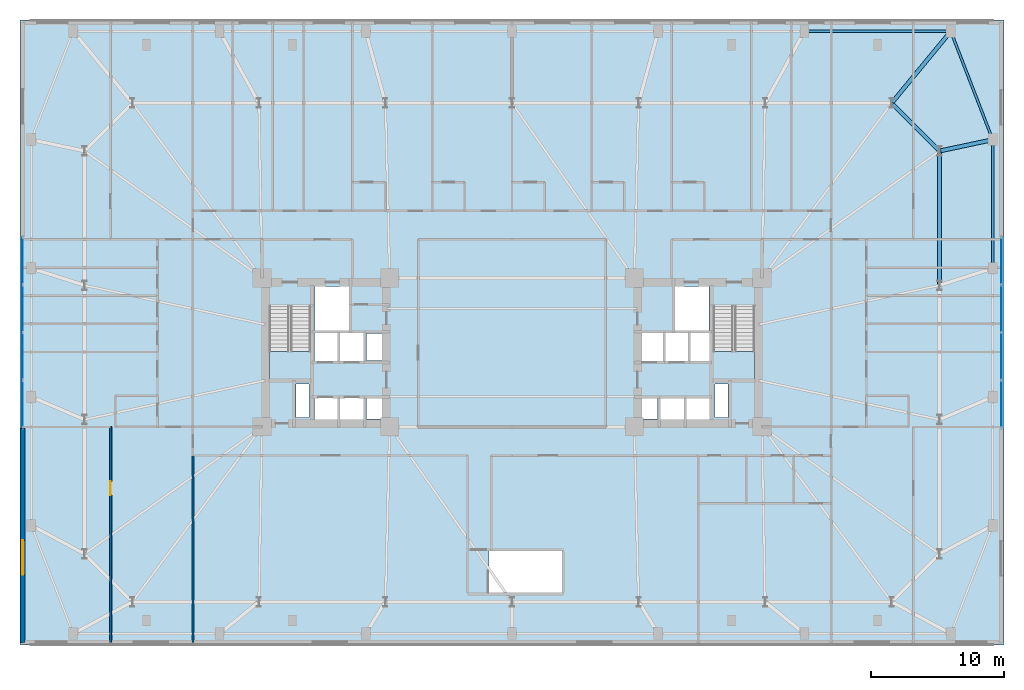
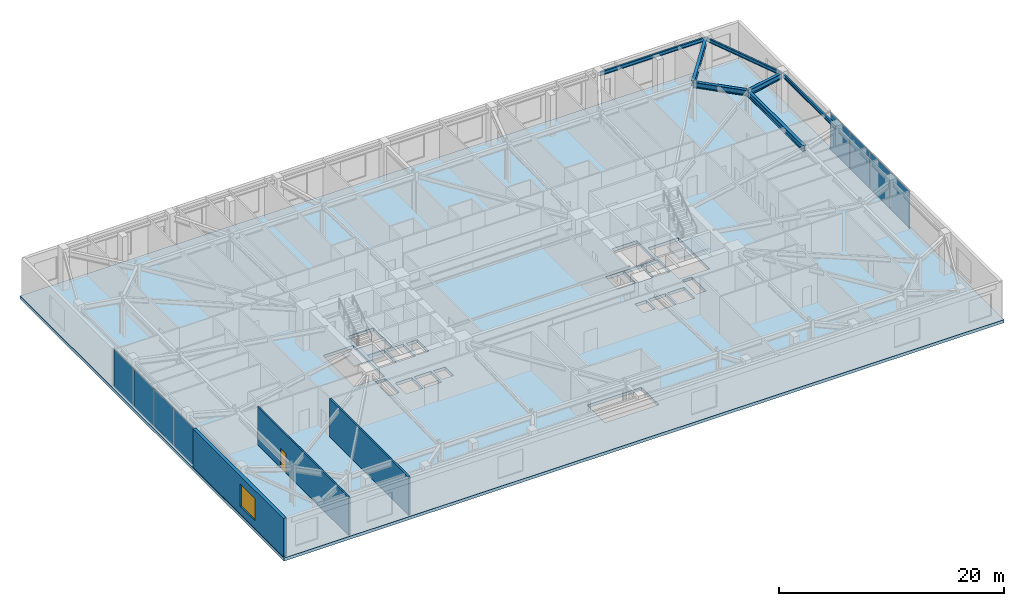
# One storey, part 10 of 21: 8 plates, 7 beams, 3 slabs, 3 walls, 1 door, 1 window, 2 openings, 4 elements without a shape of their own.
"""IFC4 building model written with IfcOpenShell, lengths in metres."""

from ifc_helpers import new_model, si_unit, direction, frame, frame_2d, origin, origin_2d, place, context, subcontext, project, spatial, polyline, rectangle, i_section, outline, extrude, material, layer, layer_set, material_profile, profile_set, type_object, element, fill, aggregate, save


model = new_model("IFC4")

# Units and contexts
model_context = context("Model", 3, precision=1e-05, world=origin(), true_north=direction((0.0, 1.0)))
body_context = subcontext(model_context, "Body", "Model", "MODEL_VIEW")
ifc_project = project(units=[si_unit("LENGTHUNIT", "METRE"), si_unit("AREAUNIT", "SQUARE_METRE"), si_unit("VOLUMEUNIT", "CUBIC_METRE"), si_unit("PLANEANGLEUNIT", "RADIAN"), si_unit("MASSUNIT", "GRAM", prefix="KILO")], contexts=[model_context])

# Site, building, storey
site_placement = place(None, origin())
site = spatial("IfcSite", under=ifc_project, at=site_placement, CompositionType="ELEMENT")
building_placement = place(site_placement, origin())
building = spatial("IfcBuilding", under=site, at=building_placement, Name="Qobustan Lattice House", CompositionType="ELEMENT")
storey_placement = place(building_placement, frame((0.0, 0.0, 22.5)))
storey = spatial("IfcBuildingStorey", under=building, at=storey_placement, Name="L05", CompositionType="ELEMENT", Elevation=22.5)

# Beams
ifc_material_1 = material(Name="Steel S355", Category="steel")
ifc_material_profile_1 = material_profile(ifc_material_1, i_section(OverallWidth=0.300048828125, OverallDepth=0.60009765625, WebThickness=0.015380859375, FlangeThickness=0.030029296875, FilletRadius=0.027099609375, at=origin_2d()), Name="HEB600")
ifc_profile_set_1 = profile_set([ifc_material_profile_1], Name="Steel S355")
beam_type_1 = type_object("IfcBeamType", Name="BM-POD-HEB600", PredefinedType="USERDEFINED", material=ifc_profile_set_1)
beam_1_placement = place(storey_placement, frame((32.14990234375, 5.14990234375, 3.860107421875), z_axis=(0.0, 1.0, 0.0), x_axis=(-1.0, 0.0, 0.0)))
element("IfcBeam", 1, at=beam_1_placement, inside=storey, type_object=beam_type_1, Name="L05 tower base ring girder E3-E4", ObjectType="GIRDER", PredefinedType="USERDEFINED", context=body_context, shape_type="SweptSolid", body=[
    extrude(i_section(OverallWidth=0.300048828125, OverallDepth=0.60009765625, WebThickness=0.015380859375, FlangeThickness=0.030029296875, FilletRadius=0.027099609375, at=origin_2d()), origin(), (0.0, 0.0, 1.0), 9.900146484375),
])
beam_2_placement = place(storey_placement, frame((32.079345703125, 15.220703125, 3.860107421875), z_axis=(-0.70713173775, 0.707081823743, 0.0), x_axis=(-0.707081823743, -0.70713173775, 0.0)))
element("IfcBeam", 2, at=beam_2_placement, inside=storey, type_object=beam_type_1, Name="L05 tower base ring girder E4-N1", ObjectType="GIRDER", PredefinedType="USERDEFINED", context=body_context, shape_type="SweptSolid", body=[
    extrude(i_section(OverallWidth=0.300048828125, OverallDepth=0.60009765625, WebThickness=0.015380859375, FlangeThickness=0.030029296875, FilletRadius=0.027099609375, at=origin_2d()), origin(), (0.0, 0.0, 1.0), 4.89111328125),
])
beam_3_placement = place(storey_placement, frame((32.923583984375, 24.057373046875, 3.860107421875), z_axis=(-0.635954703728, -0.771726385973, 0.0), x_axis=(0.771726385973, -0.635954703728, 0.0)))
element("IfcBeam", 3, at=beam_3_placement, inside=storey, type_object=beam_type_1, Name="L05 podium radial girder PN7", ObjectType="GIRDER", PredefinedType="USERDEFINED", context=body_context, shape_type="SweptSolid", body=[
    extrude(i_section(OverallWidth=0.300048828125, OverallDepth=0.60009765625, WebThickness=0.015380859375, FlangeThickness=0.030029296875, FilletRadius=0.027099609375, at=origin_2d()), origin(), (0.0, 0.0, 1.0), 6.77734375),
])
beam_4_placement = place(storey_placement, frame((36.03271484375, 15.97509765625, 3.860107421875), z_axis=(-0.978163821655, -0.207835362738, 0.0), x_axis=(0.207835362738, -0.978163821655, 0.0)))
element("IfcBeam", 4, at=beam_4_placement, inside=storey, type_object=beam_type_1, Name="L05 podium radial girder PE4", ObjectType="GIRDER", PredefinedType="USERDEFINED", context=body_context, shape_type="SweptSolid", body=[
    extrude(i_section(OverallWidth=0.300048828125, OverallDepth=0.60009765625, WebThickness=0.015380859375, FlangeThickness=0.030029296875, FilletRadius=0.027099609375, at=origin_2d()), origin(), (0.0, 0.0, 1.0), 3.869384765625),
])
ifc_material_2 = material(Name="Steel S355", Category="steel")
ifc_material_profile_2 = material_profile(ifc_material_2, i_section(OverallWidth=0.179931640625, OverallDepth=0.39990234375, WebThickness=0.008544921875, FlangeThickness=0.013427734375, FilletRadius=0.02099609375, at=origin_2d()), Name="IPE400")
ifc_profile_set_2 = profile_set([ifc_material_profile_2], Name="Steel S355")
beam_type_2 = type_object("IfcBeamType", Name="BM-SPD-IPE400", PredefinedType="SPANDREL", material=ifc_profile_set_2)
beam_5_placement = place(storey_placement, frame((22.1201171875, 24.14990234375, 3.9599609375), z_axis=(1.0, 0.0, 0.0), x_axis=(0.0, 1.0, 0.0)))
element("IfcBeam", 5, at=beam_5_placement, inside=storey, type_object=beam_type_2, Name="L05 podium spandrel PN6-PN7", PredefinedType="SPANDREL", context=body_context, shape_type="SweptSolid", body=[
    extrude(i_section(OverallWidth=0.179931640625, OverallDepth=0.39990234375, WebThickness=0.008544921875, FlangeThickness=0.013427734375, FilletRadius=0.02099609375, at=origin_2d()), origin(), (0.0, 0.0, 1.0), 10.759765625),
])
beam_6_placement = place(storey_placement, frame((36.14990234375, 6.453369140625, 3.9599609375), z_axis=(0.0, 1.0, 0.0), x_axis=(-1.0, 0.0, 0.0)))
element("IfcBeam", 6, at=beam_6_placement, inside=storey, type_object=beam_type_2, Name="L05 podium spandrel PE3-PE4", PredefinedType="SPANDREL", context=body_context, shape_type="SweptSolid", body=[
    extrude(i_section(OverallWidth=0.179931640625, OverallDepth=0.39990234375, WebThickness=0.008544921875, FlangeThickness=0.013427734375, FilletRadius=0.02099609375, at=origin_2d()), origin(), (0.0, 0.0, 1.0), 9.4267578125),
])
beam_7_placement = place(storey_placement, frame((33.043212890625, 24.0380859375, 3.9599609375), z_axis=(0.360516886299, -0.932752686779, 0.0), x_axis=(0.932752686779, 0.360516886299, 0.0)))
element("IfcBeam", 7, at=beam_7_placement, inside=storey, type_object=beam_type_2, Name="L05 podium corner tie PN7-PE4", PredefinedType="SPANDREL", context=body_context, shape_type="SweptSolid", body=[
    extrude(i_section(OverallWidth=0.179931640625, OverallDepth=0.39990234375, WebThickness=0.008544921875, FlangeThickness=0.013427734375, FilletRadius=0.02099609375, at=origin_2d()), origin(), (0.0, 0.0, 1.0), 8.49755859375),
])

# Curtain wall, plates
ifc_material_3 = material(Name="Anodised aluminium and low-E glazing", Category="aluminium")
ifc_layer_1 = layer(ifc_material_3, 0.219970703125)
ifc_layer_set_1 = layer_set([ifc_layer_1], Name="Anodised aluminium and low-E glazing")
curtain_wall_type = type_object("IfcCurtainWallType", Name="CW-POD-01", PredefinedType="USERDEFINED", material=ifc_layer_set_1)
curtain_wall_1_placement = place(storey_placement, origin())
curtain_wall_1 = element("IfcCurtainWall", 8, at=curtain_wall_1_placement, inside=storey, type_object=curtain_wall_type, Name="L05 W podium colonnade curtain wall", ObjectType="CURTAIN WALL", PredefinedType="USERDEFINED")
ifc_material_4 = material(Name="Clear low-E laminated glass", Category="glass")
ifc_layer_2 = layer(ifc_material_4, 0.031982421875)
ifc_layer_set_2 = layer_set([ifc_layer_2], Name="Clear low-E laminated glass")
plate_type = type_object("IfcPlateType", Name="CWP-VISION-32", PredefinedType="CURTAIN_PANEL", material=ifc_layer_set_2)
plate_1_placement = place(storey_placement, frame((-36.800048828125, -3.8798828125, 0.06494140625), z_axis=(0.0, 0.0, 1.0), x_axis=(0.0, 1.0, 0.0)))
plate_1 = element("IfcPlate", 9, at=plate_1_placement, type_object=plate_type, Name="CW-P1 panel 1.1", PredefinedType="CURTAIN_PANEL", context=body_context, shape_type="SweptSolid", body=[
    extrude(rectangle(XDim=3.47998046875, YDim=0.031982421875, at=origin_2d()), origin(), (0.0, 0.0, 1.0), 4.030029296875),
])
plate_2_placement = place(storey_placement, frame((-36.800048828125, -0.300048828125, 0.06494140625), z_axis=(0.0, 0.0, 1.0), x_axis=(0.0, 1.0, 0.0)))
plate_2 = element("IfcPlate", 10, at=plate_2_placement, type_object=plate_type, Name="CW-P1 panel 2.1", PredefinedType="CURTAIN_PANEL", context=body_context, shape_type="SweptSolid", body=[
    extrude(rectangle(XDim=3.52001953125, YDim=0.031982421875, at=origin_2d()), origin(), (0.0, 0.0, 1.0), 4.030029296875),
])
plate_3_placement = place(storey_placement, frame((-36.800048828125, 3.300048828125, 0.06494140625), z_axis=(0.0, 0.0, 1.0), x_axis=(0.0, 1.0, 0.0)))
plate_3 = element("IfcPlate", 11, at=plate_3_placement, type_object=plate_type, Name="CW-P1 panel 3.1", PredefinedType="CURTAIN_PANEL", context=body_context, shape_type="SweptSolid", body=[
    extrude(rectangle(XDim=3.52001953125, YDim=0.031982421875, at=origin_2d()), origin(), (0.0, 0.0, 1.0), 4.030029296875),
])
plate_4_placement = place(storey_placement, frame((-36.800048828125, 6.8798828125, 0.06494140625), z_axis=(0.0, 0.0, 1.0), x_axis=(0.0, 1.0, 0.0)))
plate_4 = element("IfcPlate", 12, at=plate_4_placement, type_object=plate_type, Name="CW-P1 panel 4.1", PredefinedType="CURTAIN_PANEL", context=body_context, shape_type="SweptSolid", body=[
    extrude(rectangle(XDim=3.47998046875, YDim=0.031982421875, at=origin_2d()), origin(), (0.0, 0.0, 1.0), 4.030029296875),
])
aggregate(curtain_wall_1, [plate_1, plate_2, plate_3, plate_4])

curtain_wall_2_placement = place(storey_placement, origin())
curtain_wall_2 = element("IfcCurtainWall", 13, at=curtain_wall_2_placement, inside=storey, type_object=curtain_wall_type, Name="L05 E podium colonnade curtain wall", ObjectType="CURTAIN WALL", PredefinedType="USERDEFINED")
plate_5_placement = place(storey_placement, frame((36.800048828125, 6.8798828125, 0.06494140625), z_axis=(0.0, 0.0, 1.0), x_axis=(0.0, -1.0, 0.0)))
plate_5 = element("IfcPlate", 14, at=plate_5_placement, type_object=plate_type, Name="CW-P1 panel 1.1", PredefinedType="CURTAIN_PANEL", context=body_context, shape_type="SweptSolid", body=[
    extrude(rectangle(XDim=3.47998046875, YDim=0.031982421875, at=origin_2d()), origin(), (0.0, 0.0, 1.0), 4.030029296875),
])
plate_6_placement = place(storey_placement, frame((36.800048828125, 3.300048828125, 0.06494140625), z_axis=(0.0, 0.0, 1.0), x_axis=(0.0, -1.0, 0.0)))
plate_6 = element("IfcPlate", 15, at=plate_6_placement, type_object=plate_type, Name="CW-P1 panel 2.1", PredefinedType="CURTAIN_PANEL", context=body_context, shape_type="SweptSolid", body=[
    extrude(rectangle(XDim=3.52001953125, YDim=0.031982421875, at=origin_2d()), origin(), (0.0, 0.0, 1.0), 4.030029296875),
])
plate_7_placement = place(storey_placement, frame((36.800048828125, -0.300048828125, 0.06494140625), z_axis=(0.0, 0.0, 1.0), x_axis=(0.0, -1.0, 0.0)))
plate_7 = element("IfcPlate", 16, at=plate_7_placement, type_object=plate_type, Name="CW-P1 panel 3.1", PredefinedType="CURTAIN_PANEL", context=body_context, shape_type="SweptSolid", body=[
    extrude(rectangle(XDim=3.52001953125, YDim=0.031982421875, at=origin_2d()), origin(), (0.0, 0.0, 1.0), 4.030029296875),
])
plate_8_placement = place(storey_placement, frame((36.800048828125, -3.8798828125, 0.06494140625), z_axis=(0.0, 0.0, 1.0), x_axis=(0.0, -1.0, 0.0)))
plate_8 = element("IfcPlate", 17, at=plate_8_placement, type_object=plate_type, Name="CW-P1 panel 4.1", PredefinedType="CURTAIN_PANEL", context=body_context, shape_type="SweptSolid", body=[
    extrude(rectangle(XDim=3.47998046875, YDim=0.031982421875, at=origin_2d()), origin(), (0.0, 0.0, 1.0), 4.030029296875),
])
aggregate(curtain_wall_2, [plate_5, plate_6, plate_7, plate_8])

# Slab
ifc_material_5 = material(Name="Concrete C45/55", Category="concrete")
ifc_layer_3 = layer(ifc_material_5, 0.330078125)
ifc_layer_set_3 = layer_set([ifc_layer_3], Name="Concrete C45/55")
slab_type_1 = type_object("IfcSlabType", Name="SLB-FLR-330", PredefinedType="FLOOR", material=ifc_layer_set_3)
slab_1_placement = place(storey_placement, frame((0.0, 0.0, -0.330078125)))
element("IfcSlab", 18, at=slab_1_placement, inside=storey, type_object=slab_type_1, Name="L05 structural floor slab", PredefinedType="FLOOR", context=body_context, shape_type="SweptSolid", body=[
    extrude(outline(polyline([(-37.0, -22.0), (37.0, -22.0), (37.0, 25.0), (-37.0, 25.0), (-37.0, -22.0)]), holes=[polyline([(-18.25, -2.050048828125), (-18.25, 3.489990234375), (-15.1298828125, 3.489990234375), (-15.1298828125, -2.050048828125), (-18.25, -2.050048828125)]), polyline([(15.1298828125, -2.050048828125), (15.1298828125, 3.489990234375), (18.25, 3.489990234375), (18.25, -2.050048828125), (15.1298828125, -2.050048828125)]), polyline([(-14.820068359375, 1.64990234375), (-14.820068359375, 4.9599609375), (-12.25, 4.9599609375), (-12.25, 1.64990234375), (-14.820068359375, 1.64990234375)]), polyline([(12.25, 1.64990234375), (12.25, 4.9599609375), (14.820068359375, 4.9599609375), (14.820068359375, 1.64990234375), (12.25, 1.64990234375)]), polyline([(-16.260009765625, -4.8798828125), (-16.260009765625, -2.360107421875), (-15.260009765625, -2.360107421875), (-15.260009765625, -4.8798828125), (-16.260009765625, -4.8798828125)]), polyline([(15.260009765625, -4.8798828125), (15.260009765625, -2.360107421875), (16.260009765625, -2.360107421875), (16.260009765625, -4.8798828125), (15.260009765625, -4.8798828125)]), polyline([(-14.85009765625, -5.35009765625), (-14.85009765625, -3.419921875), (-13.1201171875, -3.419921875), (-13.1201171875, -5.35009765625), (-14.85009765625, -5.35009765625)]), polyline([(-12.919921875, -5.35009765625), (-12.919921875, -3.419921875), (-11.179931640625, -3.419921875), (-11.179931640625, -5.35009765625), (-12.919921875, -5.35009765625)]), polyline([(-14.85009765625, -0.679931640625), (-14.85009765625, 1.47998046875), (-13.1201171875, 1.47998046875), (-13.1201171875, -0.679931640625), (-14.85009765625, -0.679931640625)]), polyline([(-12.919921875, -0.679931640625), (-12.919921875, 1.47998046875), (-11.179931640625, 1.47998046875), (-11.179931640625, -0.679931640625), (-12.919921875, -0.679931640625)]), polyline([(-10.93994140625, -5.0), (-10.93994140625, -3.47998046875), (-9.760009765625, -3.47998046875), (-9.760009765625, -5.0), (-10.93994140625, -5.0)]), polyline([(-10.93994140625, -0.6201171875), (-10.93994140625, 1.419921875), (-9.760009765625, 1.419921875), (-9.760009765625, -0.6201171875), (-10.93994140625, -0.6201171875)]), polyline([(11.179931640625, -5.35009765625), (11.179931640625, -3.419921875), (12.919921875, -3.419921875), (12.919921875, -5.35009765625), (11.179931640625, -5.35009765625)]), polyline([(13.1201171875, -5.35009765625), (13.1201171875, -3.419921875), (14.85009765625, -3.419921875), (14.85009765625, -5.35009765625), (13.1201171875, -5.35009765625)]), polyline([(9.760009765625, -5.0), (9.760009765625, -3.47998046875), (10.93994140625, -3.47998046875), (10.93994140625, -5.0), (9.760009765625, -5.0)]), polyline([(13.360107421875, -0.679931640625), (13.360107421875, 1.47998046875), (14.97998046875, 1.47998046875), (14.97998046875, -0.679931640625), (13.360107421875, -0.679931640625)]), polyline([(9.6201171875, -0.679931640625), (9.6201171875, 1.47998046875), (11.43994140625, 1.47998046875), (11.43994140625, -0.679931640625), (9.6201171875, -0.679931640625)]), polyline([(11.5, -0.679931640625), (11.5, 1.47998046875), (13.320068359375, 1.47998046875), (13.320068359375, -0.679931640625), (11.5, -0.679931640625)]), polyline([(-1.739990234375, -18.06005859375), (-1.739990234375, -14.93994140625), (3.800048828125, -14.93994140625), (3.800048828125, -18.06005859375), (-1.739990234375, -18.06005859375)])]), origin(), (0.0, 0.0, 1.0), 0.330078125),
])

# Stair, slab
ifc_material_6 = material(Name="Concrete C40/50", Category="concrete")
stair_type = type_object("IfcStairType", Name="STR-CORE-DOGLEG", PredefinedType="HALF_TURN_STAIR", material=ifc_material_6)
stair_1_placement = place(storey_placement, origin())
stair_1 = element("IfcStair", 19, at=stair_1_placement, inside=storey, type_object=stair_type, Name="L05 West protected exit stair ST-W1", PredefinedType="HALF_TURN_STAIR")
ifc_material_7 = material(Name="Concrete C40/50", Category="concrete")
ifc_layer_4 = layer(ifc_material_7, 0.199951171875)
ifc_layer_set_4 = layer_set([ifc_layer_4], Name="Concrete C40/50")
slab_type_2 = type_object("IfcSlabType", Name="SLB-LANDING-200", PredefinedType="LANDING", material=ifc_layer_set_4)
slab_2_placement = place(storey_placement, frame((0.0, 0.0, 2.050048828125)))
slab_2 = element("IfcSlab", 20, at=slab_2_placement, type_object=slab_type_2, Name="ST-W1 landing 1", PredefinedType="LANDING", context=body_context, shape_type="SweptSolid", body=[
    extrude(outline(polyline([(-18.25, 0.080078125), (-18.25, -2.050048828125), (-15.1298828125, -2.050048828125), (-15.1298828125, 0.080078125), (-18.25, 0.080078125)])), origin(), (0.0, 0.0, 1.0), 0.199951171875),
])
aggregate(stair_1, [slab_2])

stair_2_placement = place(storey_placement, origin())
stair_2 = element("IfcStair", 21, at=stair_2_placement, inside=storey, type_object=stair_type, Name="L05 East protected exit stair ST-E1", PredefinedType="HALF_TURN_STAIR")
slab_3_placement = place(storey_placement, frame((0.0, 0.0, 2.050048828125)))
slab_3 = element("IfcSlab", 22, at=slab_3_placement, type_object=slab_type_2, Name="ST-E1 landing 1", PredefinedType="LANDING", context=body_context, shape_type="SweptSolid", body=[
    extrude(outline(polyline([(15.1298828125, 0.080078125), (15.1298828125, -2.050048828125), (18.25, -2.050048828125), (18.25, 0.080078125), (15.1298828125, 0.080078125)])), origin(), (0.0, 0.0, 1.0), 0.199951171875),
])
aggregate(stair_2, [slab_3])

# Wall, opening, window
ifc_material_8 = material(Name="Precast concrete C40/50", Category="concrete")
ifc_layer_5 = layer(ifc_material_8, 0.320068359375)
ifc_layer_set_5 = layer_set([ifc_layer_5], Name="Precast concrete C40/50")
wall_type_1 = type_object("IfcWallType", Name="WAL-EXT-STONE-320", PredefinedType="SOLIDWALL", material=ifc_layer_set_5)
wall_1_placement = place(storey_placement, frame((-36.800048828125, -21.800048828125, 0.0), z_axis=(0.0, 0.0, 1.0), x_axis=(0.0, 1.0, 0.0)))
wall_1 = element("IfcWall", 23, at=wall_1_placement, inside=storey, type_object=wall_type_1, Name="L05 podium stone wall 1A", PredefinedType="SOLIDWALL", context=body_context, shape_type="SweptSolid", body=[
    extrude(rectangle(XDim=16.10009765625, YDim=0.320068359375, at=frame_2d((8.050048828125, 0.0))), origin(), (0.0, 0.0, 1.0), 4.159912109375),
])
opening_1_placement = place(wall_1_placement, frame((5.0673828125, 0.0, 0.85009765625)))
opening_1 = element("IfcOpeningElement", 24, at=opening_1_placement, cuts=wall_1, Name="Opening WN-06", PredefinedType="OPENING", context=body_context, shape_type="SweptSolid", body=[
    extrude(rectangle(XDim=2.60009765625, YDim=2.39990234375, at=frame_2d((1.300048828125, 1.199951171875))), frame((0.0, 0.169921875, 0.0), z_axis=(0.0, -1.0, 0.0), x_axis=(1.0, 0.0, 0.0)), (0.0, 0.0, 1.0), 0.340087890625),
])
ifc_material_9 = material(Name="Double-glazed low-E aluminium window", Category="aluminium")
window_type = type_object("IfcWindowType", Name="WIN-POD-2600x2400", PartitioningType="SINGLE_PANEL", PredefinedType="WINDOW", material=ifc_material_9)
window_placement = place(opening_1_placement, origin())
window = element("IfcWindow", 25, at=window_placement, inside=storey, type_object=window_type, Name="L05 Collaborative study room L05WS window", OverallHeight=2.39990234375, OverallWidth=2.60009765625, PartitioningType="SINGLE_PANEL", PredefinedType="WINDOW", context=body_context, shape_type="SweptSolid", body=[
    extrude(rectangle(XDim=2.60009765625, YDim=2.39990234375, at=frame_2d((1.300048828125, 1.199951171875))), frame((0.0, 0.030029296875, 0.0), z_axis=(0.0, -1.0, 0.0), x_axis=(1.0, 0.0, 0.0)), (0.0, 0.0, 1.0), 0.06005859375),
])
fill(opening_1, window)

# Wall, opening, door
ifc_material_10 = material(Name="Acoustic twin-stud gypsum partition", Category="gypsum")
ifc_layer_6 = layer(ifc_material_10, 0.14990234375)
ifc_layer_set_6 = layer_set([ifc_layer_6], Name="Acoustic twin-stud gypsum partition")
wall_type_2 = type_object("IfcWallType", Name="WAL-PART-150", PredefinedType="PARTITIONING", material=ifc_layer_set_6)
wall_2_placement = place(storey_placement, frame((-30.18994140625, -21.800048828125, 0.0), z_axis=(0.0, 0.0, 1.0), x_axis=(0.0, 1.0, 0.0)))
wall_2 = element("IfcWall", 26, at=wall_2_placement, inside=storey, type_object=wall_type_2, Name="L05 interior partition 88", PredefinedType="PARTITIONING", context=body_context, shape_type="SweptSolid", body=[
    extrude(rectangle(XDim=16.199951171875, YDim=0.14990234375, at=frame_2d((8.10009765625, 0.0))), origin(), (0.0, 0.0, 1.0), 4.159912109375),
])
opening_2_placement = place(wall_2_placement, frame((11.072509765625, 0.0, 0.0)))
opening_2 = element("IfcOpeningElement", 27, at=opening_2_placement, cuts=wall_2, Name="Opening ID-02", PredefinedType="OPENING", context=body_context, shape_type="SweptSolid", body=[
    extrude(rectangle(XDim=1.050048828125, YDim=2.14990234375, at=frame_2d((0.52490234375, 1.074951171875))), frame((0.0, 0.0849609375, 0.0), z_axis=(0.0, -1.0, 0.0), x_axis=(1.0, 0.0, 0.0)), (0.0, 0.0, 1.0), 0.169921875),
])
ifc_material_11 = material(Name="Persian walnut timber and steel frame door", Category="steel")
door_type = type_object("IfcDoorType", Name="DOR-STUDY-1050x2150", OperationType="NOTDEFINED", PredefinedType="DOOR", material=ifc_material_11)
door_placement = place(opening_2_placement, origin())
door = element("IfcDoor", 28, at=door_placement, inside=storey, type_object=door_type, Name="L05 Reading seminar room L05WS to Collaborative study room L05WS door", OperationType="SINGLE_SWING_LEFT", OverallHeight=2.14990234375, OverallWidth=1.050048828125, PredefinedType="DOOR", context=body_context, shape_type="SweptSolid", body=[
    extrude(rectangle(XDim=1.050048828125, YDim=2.14990234375, at=frame_2d((0.52490234375, 1.074951171875))), frame((0.0, 0.02490234375, 0.0), z_axis=(0.0, -1.0, 0.0), x_axis=(1.0, 0.0, 0.0)), (0.0, 0.0, 1.0), 0.050048828125),
])
fill(opening_2, door)

# Wall
ifc_material_12 = material(Name="High-mass acoustic twin-stud partition", Category="gypsum")
ifc_layer_7 = layer(ifc_material_12, 0.1650390625)
ifc_layer_set_7 = layer_set([ifc_layer_7], Name="High-mass acoustic twin-stud partition")
wall_type_3 = type_object("IfcWallType", Name="WAL-PART-165", PredefinedType="PARTITIONING", material=ifc_layer_set_7)
wall_3_placement = place(storey_placement, frame((-24.0, -7.75, 0.0), z_axis=(0.0, 0.0, 1.0), x_axis=(0.0, -1.0, 0.0)))
element("IfcWall", 29, at=wall_3_placement, inside=storey, type_object=wall_type_3, Name="L05 interior partition 90", PredefinedType="PARTITIONING", context=body_context, shape_type="SweptSolid", body=[
    extrude(rectangle(XDim=14.050048828125, YDim=0.1650390625, at=frame_2d((7.02490234375, 0.0))), origin(), (0.0, 0.0, 1.0), 4.159912109375),
])

save(model, "model.ifc")
